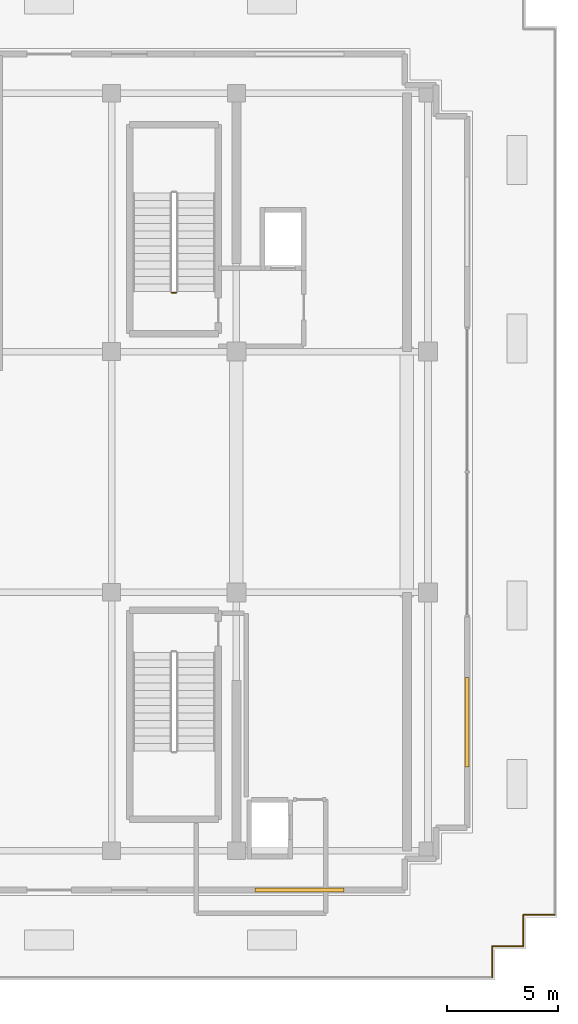
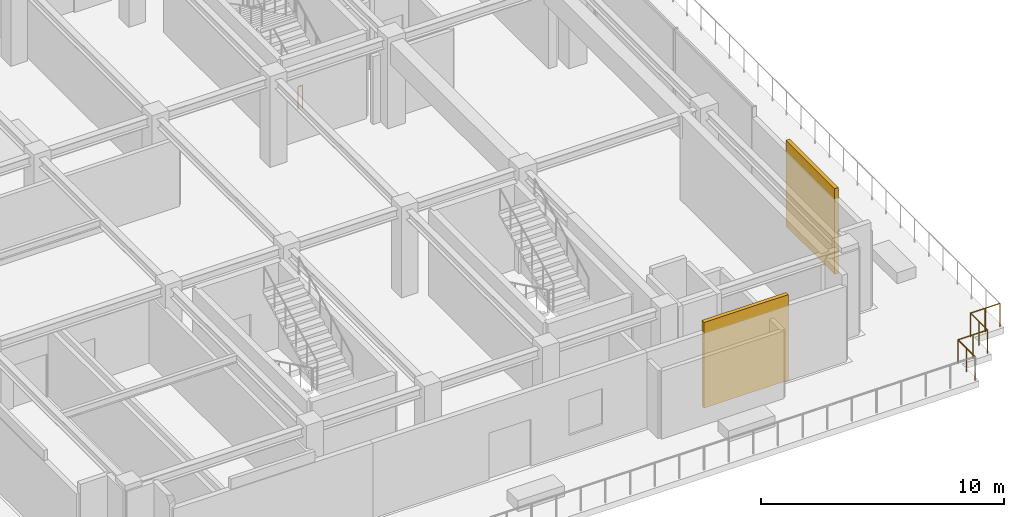
# One storey, part 9 of 13: 5 railings, 2 shading devices.
"""IFC4 building model written with IfcOpenShell, lengths in metres."""

from ifc_helpers import new_model, si_unit, direction, frame, origin, origin_2d, place, context, subcontext, project, spatial, rectangle, circle, extrude, source, transform, mapped, material, layer, layer_set, type_object, element, save


model = new_model("IFC4")

# Units and contexts
model_context = context("Model", 3, precision=1e-05, world=origin(), true_north=direction((0.0, 1.0)))
body_context = subcontext(model_context, "Body", "Model", "MODEL_VIEW")
ifc_project = project(units=[si_unit("LENGTHUNIT", "METRE"), si_unit("AREAUNIT", "SQUARE_METRE"), si_unit("VOLUMEUNIT", "CUBIC_METRE"), si_unit("PLANEANGLEUNIT", "RADIAN"), si_unit("MASSUNIT", "GRAM", prefix="KILO")], contexts=[model_context])

# Site, building, storey
site_placement = place(None, origin())
site = spatial("IfcSite", under=ifc_project, at=site_placement, CompositionType="ELEMENT")
building_placement = place(site_placement, origin())
building = spatial("IfcBuilding", under=site, at=building_placement, Name="Nahalor Promenade Grand Hotel", CompositionType="ELEMENT")
storey_placement = place(building_placement, frame((0.0, 0.0, 357.050048828125)))
storey = spatial("IfcBuildingStorey", under=building, at=storey_placement, Name="L91", CompositionType="ELEMENT", Elevation=357.050048828125)

# Railings
ifc_material_1 = material(Name="Anodised Bronze Aluminium EN AW-6063 T6", Category="aluminium")
railing_type_1 = type_object("IfcRailingType", Name="Bronze Balcony Guardrail 1200 mm", PredefinedType="GUARDRAIL", material=ifc_material_1)
railing_1_placement = place(storey_placement, frame((19.8798828125, -22.679931640625, 0.0)))
element("IfcRailing", 1, at=railing_1_placement, inside=storey, type_object=railing_type_1, Name="L91 Edge Guardrail RL-L91-SG-2", PredefinedType="GUARDRAIL", context=body_context, shape_type="SweptSolid", body=[
    extrude(circle(Radius=0.024048, at=origin_2d()), frame((0.0, 0.0, 1.17578125), z_axis=(0.0, 1.0, 0.0), x_axis=(-1.0, 0.0, 0.0)), (0.0, 0.0, 1.0), 1.39990234375),
    extrude(circle(Radius=0.020996, at=origin_2d()), origin(), (0.0, 0.0, 1.0), 1.14990234375),
    extrude(circle(Radius=0.020996, at=origin_2d()), frame((0.0, 0.699951171875, 0.0)), (0.0, 0.0, 1.0), 1.14990234375),
    extrude(circle(Radius=0.020996, at=origin_2d()), frame((0.0, 1.39990234375, 0.0)), (0.0, 0.0, 1.0), 1.14990234375),
])
railing_2_placement = place(storey_placement, frame((19.8798828125, -21.280029296875, 0.0)))
element("IfcRailing", 2, at=railing_2_placement, inside=storey, type_object=railing_type_1, Name="L91 Edge Guardrail RL-L91-SG-3", PredefinedType="GUARDRAIL", context=body_context, shape_type="SweptSolid", body=[
    extrude(circle(Radius=0.024048, at=origin_2d()), frame((0.0, 0.0, 1.17578125), z_axis=(1.0, 0.0, 0.0), x_axis=(0.0, 1.0, 0.0)), (0.0, 0.0, 1.0), 1.400146484375),
    extrude(circle(Radius=0.020996, at=origin_2d()), origin(), (0.0, 0.0, 1.0), 1.14990234375),
    extrude(circle(Radius=0.020996, at=origin_2d()), frame((0.7001953125, 0.0, 0.0)), (0.0, 0.0, 1.0), 1.14990234375),
    extrude(circle(Radius=0.020996, at=origin_2d()), frame((1.400146484375, 0.0, 0.0)), (0.0, 0.0, 1.0), 1.14990234375),
])
railing_3_placement = place(storey_placement, frame((21.280029296875, -21.280029296875, 0.0)))
element("IfcRailing", 3, at=railing_3_placement, inside=storey, type_object=railing_type_1, Name="L91 Edge Guardrail RL-L91-SG-4", PredefinedType="GUARDRAIL", context=body_context, shape_type="SweptSolid", body=[
    extrude(circle(Radius=0.024048, at=origin_2d()), frame((0.0, 0.0, 1.17578125), z_axis=(0.0, 1.0, 0.0), x_axis=(-1.0, 0.0, 0.0)), (0.0, 0.0, 1.0), 1.400146484375),
    extrude(circle(Radius=0.020996, at=origin_2d()), origin(), (0.0, 0.0, 1.0), 1.14990234375),
    extrude(circle(Radius=0.020996, at=origin_2d()), frame((0.0, 0.7001953125, 0.0)), (0.0, 0.0, 1.0), 1.14990234375),
    extrude(circle(Radius=0.020996, at=origin_2d()), frame((0.0, 1.400146484375, 0.0)), (0.0, 0.0, 1.0), 1.14990234375),
])
railing_4_placement = place(storey_placement, frame((21.280029296875, -19.8798828125, 0.0)))
element("IfcRailing", 4, at=railing_4_placement, inside=storey, type_object=railing_type_1, Name="L91 Edge Guardrail RL-L91-SG-5", PredefinedType="GUARDRAIL", context=body_context, shape_type="SweptSolid", body=[
    extrude(circle(Radius=0.024048, at=origin_2d()), frame((0.0, 0.0, 1.17578125), z_axis=(1.0, 0.0, 0.0), x_axis=(0.0, 1.0, 0.0)), (0.0, 0.0, 1.0), 1.39990234375),
    extrude(circle(Radius=0.020996, at=origin_2d()), origin(), (0.0, 0.0, 1.0), 1.14990234375),
    extrude(circle(Radius=0.020996, at=origin_2d()), frame((0.699951171875, 0.0, 0.0)), (0.0, 0.0, 1.0), 1.14990234375),
    extrude(circle(Radius=0.020996, at=origin_2d()), frame((1.39990234375, 0.0, 0.0)), (0.0, 0.0, 1.0), 1.14990234375),
])
ifc_material_2 = material(Name="Steel S355JR", Category="steel")
railing_type_2 = type_object("IfcRailingType", Name="Steel Stair Guardrail 1150 mm", PredefinedType="GUARDRAIL", material=ifc_material_2)
railing_5_placement = place(storey_placement, frame((5.699951171875, 8.050048828125, 0.0)))
element("IfcRailing", 5, at=railing_5_placement, inside=storey, type_object=railing_type_2, Name="L91 ST1 stair guard 4", PredefinedType="GUARDRAIL", context=body_context, shape_type="SweptSolid", body=[
    extrude(circle(Radius=0.024048, at=origin_2d()), frame((0.0, 0.0, 1.1259765625), z_axis=(-1.0, 0.0, 0.0), x_axis=(0.0, -1.0, 0.0)), (0.0, 0.0, 1.0), 0.199951171875),
    extrude(circle(Radius=0.020996, at=origin_2d()), origin(), (0.0, 0.0, 1.0), 1.099853515625),
    extrude(circle(Radius=0.020996, at=origin_2d()), frame((-0.199951171875, 0.0, 0.0)), (0.0, 0.0, 1.0), 1.099853515625),
])

# Shading devices
ifc_layer = layer(ifc_material_1, 0.179931640625)
ifc_layer_set = layer_set([ifc_layer], Name="Anodised Bronze Aluminium EN AW-6063 T6")
shading_device_type = type_object("IfcShadingDeviceType", Name="Shade-PlantLouvre-Bronze", PredefinedType="USERDEFINED", material=ifc_layer_set)
shared_shape = source(origin(), body_context, "Body", "SweptSolid", [
    extrude(rectangle(XDim=4.0, YDim=0.179931640625, at=origin_2d()), origin(), (0.0, 0.0, 1.0), 4.300048828125),
])
for number, where, z_axis, x_axis, name in (
    (6, (11.22998046875, -18.760009765625, 0.0), (0.0, 0.0, 1.0), (1.0, 0.0, 0.0), "LV-L91-SR"),
    (7, (18.760009765625, -11.22998046875, 0.0), (0.0, 0.0, 1.0), (0.0, 1.0, 0.0), "LV-L91-EL"),
):
    element("IfcShadingDevice", number, at=place(storey_placement, frame(where, z_axis=z_axis, x_axis=x_axis)), inside=storey, type_object=shading_device_type, Name=name, ObjectType="LOUVRE", PredefinedType="USERDEFINED", context=body_context, shape_type="MappedRepresentation", body=[
        mapped(shared_shape, transform((0.0, 0.0, 0.0), scale=1.0)),
    ])

save(model, "model.ifc")
